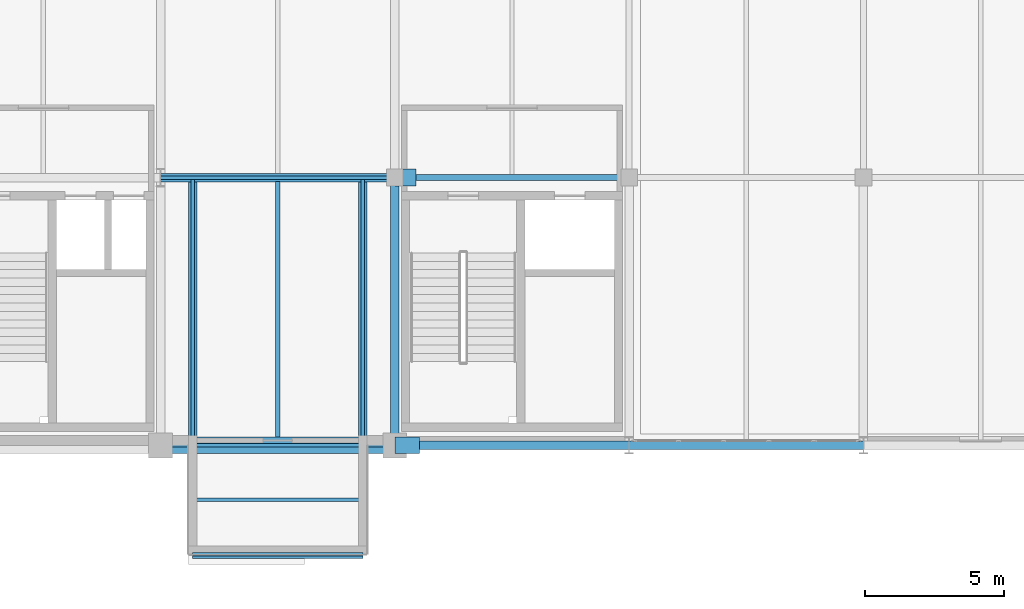
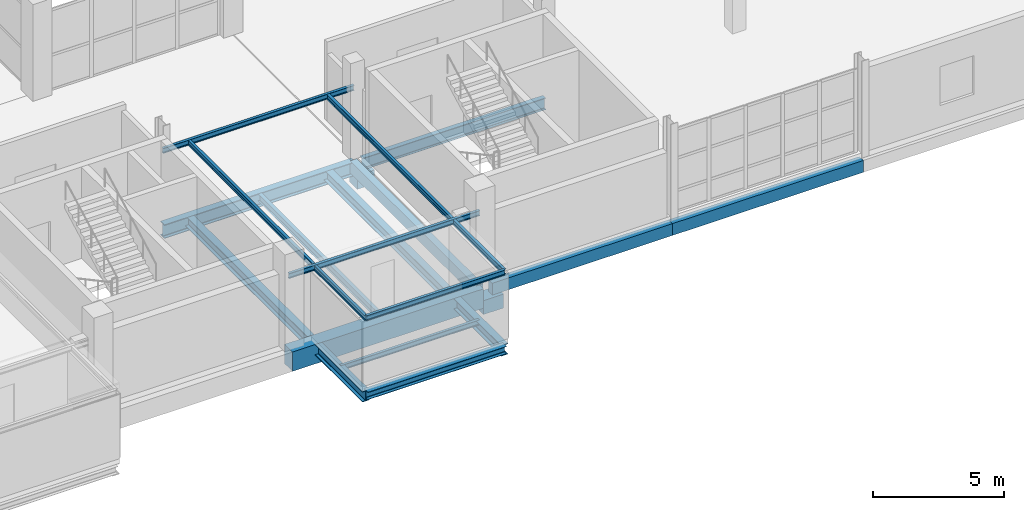
# One storey, part 50 of 130: 18 beams.
"""IFC4 building model written with IfcOpenShell, lengths in metres."""

from ifc_helpers import new_model, si_unit, direction, frame, origin, origin_2d, place, context, subcontext, project, spatial, rectangle, i_section, extrude, material, material_profile, profile_set, type_object, element, save


model = new_model("IFC4")

# Units and contexts
model_context = context("Model", 3, precision=1e-05, world=origin(), true_north=direction((0.0, 1.0)))
body_context = subcontext(model_context, "Body", "Model", "MODEL_VIEW")
ifc_project = project(units=[si_unit("LENGTHUNIT", "METRE"), si_unit("AREAUNIT", "SQUARE_METRE"), si_unit("VOLUMEUNIT", "CUBIC_METRE"), si_unit("PLANEANGLEUNIT", "RADIAN"), si_unit("MASSUNIT", "GRAM", prefix="KILO")], contexts=[model_context])

# Site, building, storey
site_placement = place(None, origin())
site = spatial("IfcSite", under=ifc_project, at=site_placement, CompositionType="ELEMENT")
building_placement = place(site_placement, origin())
building = spatial("IfcBuilding", under=site, at=building_placement, Name="Veltarok Museum of Natural Sciences", CompositionType="ELEMENT")
storey_placement = place(building_placement, frame((0.0, 0.0, 12.89990234375)))
storey = spatial("IfcBuildingStorey", under=building, at=storey_placement, Name="L02", CompositionType="ELEMENT", Elevation=12.89990234375)

# Beams
ifc_material_1 = material(Name="Steel S355J2", Category="steel")
ifc_material_profile_1 = material_profile(ifc_material_1, i_section(OverallWidth=0.2099609375, OverallDepth=0.550048828125, WebThickness=0.010986328125, FlangeThickness=0.01708984375, FilletRadius=0.02392578125, at=origin_2d()), Name="IPE 550")
ifc_profile_set_1 = profile_set([ifc_material_profile_1], Name="Steel S355J2")
beam_type_1 = type_object("IfcBeamType", Name="Archive Heavy Girder IPE 550", PredefinedType="BEAM", material=ifc_profile_set_1)
beam_1_placement = place(storey_placement, frame((107.550048828125, 9.60009765625, -0.52490234375), z_axis=(1.0, 0.0, 0.0), x_axis=(0.0, 1.0, 0.0)))
element("IfcBeam", 1, at=beam_1_placement, inside=storey, type_object=beam_type_1, Name="Beam BM-G03 L02 13-14/B", PredefinedType="BEAM", context=body_context, shape_type="SweptSolid", body=[
    extrude(i_section(OverallWidth=0.2099609375, OverallDepth=0.550048828125, WebThickness=0.010986328125, FlangeThickness=0.01708984375, FilletRadius=0.02392578125, at=origin_2d()), origin(), (0.0, 0.0, 1.0), 8.050048828125),
])
ifc_material_profile_2 = material_profile(ifc_material_1, i_section(OverallWidth=0.300048828125, OverallDepth=0.5, WebThickness=0.014404296875, FlangeThickness=0.028076171875, FilletRadius=0.027099609375, at=origin_2d()), Name="HEB 500")
ifc_profile_set_2 = profile_set([ifc_material_profile_2], Name="Steel S355J2")
beam_type_2 = type_object("IfcBeamType", Name="Cabinet Box Cantilever Girder HEB 500", PredefinedType="BEAM", material=ifc_profile_set_2)
for number, where, z_axis, x_axis, name in (
    (2, (99.949951171875, -3.89990234375, -0.5), (0.0, 1.0, 0.0), (-1.0, 0.0, 0.0), "Cabinet Cantilever Girder DB-11-1"),
    (3, (106.050048828125, -3.89990234375, -0.5), (0.0, 1.0, 0.0), (-1.0, 0.0, 0.0), "Cabinet Cantilever Girder DB-11-2"),
):
    element("IfcBeam", number, at=place(storey_placement, frame(where, z_axis=z_axis, x_axis=x_axis)), inside=storey, type_object=beam_type_2, Name=name, PredefinedType="BEAM", context=body_context, shape_type="SweptSolid", body=[
        extrude(i_section(OverallWidth=0.300048828125, OverallDepth=0.5, WebThickness=0.014404296875, FlangeThickness=0.028076171875, FilletRadius=0.027099609375, at=origin_2d()), origin(), (0.0, 0.0, 1.0), 13.5),
    ])
ifc_material_profile_3 = material_profile(ifc_material_1, i_section(OverallWidth=0.1201171875, OverallDepth=0.239990234375, WebThickness=0.006103515625, FlangeThickness=0.009765625, FilletRadius=0.014892578125, at=origin_2d()), Name="IPE 240")
ifc_profile_set_3 = profile_set([ifc_material_profile_3], Name="Steel S355J2")
beam_type_3 = type_object("IfcBeamType", Name="Cabinet Box Secondary Joist IPE 240", PredefinedType="JOIST", material=ifc_profile_set_3)
for number, where, z_axis, x_axis, name in (
    (4, (99.949951171875, -3.89990234375, 3.130126953125), (0.0, 1.0, 0.0), (-1.0, 0.0, 0.0), "Cabinet Roof Rafter DB-11-1"),
    (5, (106.050048828125, -3.89990234375, 3.130126953125), (0.0, 1.0, 0.0), (-1.0, 0.0, 0.0), "Cabinet Roof Rafter DB-11-2"),
):
    element("IfcBeam", number, at=place(storey_placement, frame(where, z_axis=z_axis, x_axis=x_axis)), inside=storey, type_object=beam_type_3, Name=name, PredefinedType="JOIST", context=body_context, shape_type="SweptSolid", body=[
        extrude(i_section(OverallWidth=0.1201171875, OverallDepth=0.239990234375, WebThickness=0.006103515625, FlangeThickness=0.009765625, FilletRadius=0.014892578125, at=origin_2d()), origin(), (0.0, 0.0, 1.0), 13.5),
    ])
for number, where, z_axis, x_axis, name in (
    (6, (98.800048828125, 0.0, 3.130126953125), (1.0, 0.0, 0.0), (0.0, 1.0, 0.0), "Cabinet Roof Tie Beam DB-11-P"),
    (7, (98.800048828125, 9.60009765625, 3.130126953125), (1.0, 0.0, 0.0), (0.0, 1.0, 0.0), "Cabinet Roof Tie Beam DB-11-I"),
):
    element("IfcBeam", number, at=place(storey_placement, frame(where, z_axis=z_axis, x_axis=x_axis)), inside=storey, type_object=beam_type_3, Name=name, PredefinedType="JOIST", context=body_context, shape_type="SweptSolid", body=[
        extrude(i_section(OverallWidth=0.1201171875, OverallDepth=0.239990234375, WebThickness=0.006103515625, FlangeThickness=0.009765625, FilletRadius=0.014892578125, at=origin_2d()), origin(), (0.0, 0.0, 1.0), 8.39990234375),
    ])
for number, where, z_axis, x_axis, name in (
    (8, (99.949951171875, -3.89990234375, 3.130126953125), (1.0, 0.0, 0.0), (0.0, 1.0, 0.0), "Cabinet Roof Tip Header DB-11"),
    (9, (99.949951171875, -1.949951171875, -0.369873046875), (1.0, 0.0, 0.0), (0.0, 1.0, 0.0), "Cabinet Box Joist DB-11"),
):
    element("IfcBeam", number, at=place(storey_placement, frame(where, z_axis=z_axis, x_axis=x_axis)), inside=storey, type_object=beam_type_3, Name=name, PredefinedType="JOIST", context=body_context, shape_type="SweptSolid", body=[
        extrude(i_section(OverallWidth=0.1201171875, OverallDepth=0.239990234375, WebThickness=0.006103515625, FlangeThickness=0.009765625, FilletRadius=0.014892578125, at=origin_2d()), origin(), (0.0, 0.0, 1.0), 6.10009765625),
    ])
ifc_material_profile_4 = material_profile(ifc_material_1, i_section(OverallWidth=0.300048828125, OverallDepth=0.35009765625, WebThickness=0.010009765625, FlangeThickness=0.017578125, FilletRadius=0.027099609375, at=origin_2d()), Name="HEA 360")
ifc_profile_set_4 = profile_set([ifc_material_profile_4], Name="Steel S355J2")
beam_type_4 = type_object("IfcBeamType", Name="Cabinet Box Tip Header HEA 360", PredefinedType="BEAM", material=ifc_profile_set_4)
beam_2_placement = place(storey_placement, frame((99.949951171875, -3.89990234375, -0.4248046875), z_axis=(1.0, 0.0, 0.0), x_axis=(0.0, 1.0, 0.0)))
element("IfcBeam", 10, at=beam_2_placement, inside=storey, type_object=beam_type_4, Name="Cabinet Tip Header DB-11", PredefinedType="BEAM", context=body_context, shape_type="SweptSolid", body=[
    extrude(i_section(OverallWidth=0.300048828125, OverallDepth=0.35009765625, WebThickness=0.010009765625, FlangeThickness=0.017578125, FilletRadius=0.027099609375, at=origin_2d()), origin(), (0.0, 0.0, 1.0), 6.10009765625),
])
ifc_material_2 = material(Name="Precast concrete C40/50", Category="concrete")
ifc_material_profile_5 = material_profile(ifc_material_2, rectangle(XDim=0.300048828125, YDim=0.550048828125, at=origin_2d()), Name="RC 300x550")
ifc_profile_set_5 = profile_set([ifc_material_profile_5], Name="Precast concrete C40/50")
beam_type_5 = type_object("IfcBeamType", Name="East Wing Precast Spandrel RC 300x550", PredefinedType="SPANDREL", material=ifc_profile_set_5)
beam_3_placement = place(storey_placement, frame((107.675048828125, 0.0, -0.52490234375), z_axis=(1.0, 0.0, 0.0), x_axis=(0.0, 1.0, 0.0)))
element("IfcBeam", 11, at=beam_3_placement, inside=storey, type_object=beam_type_5, Name="Beam BM-SP02 L02 13-14/A", PredefinedType="SPANDREL", context=body_context, shape_type="SweptSolid", body=[
    extrude(rectangle(XDim=0.300048828125, YDim=0.550048828125, at=origin_2d()), origin(), (0.0, 0.0, 1.0), 7.925048828125),
])
beam_4_placement = place(storey_placement, frame((115.60009765625, 0.0, -0.52490234375), z_axis=(1.0, 0.0, 0.0), x_axis=(0.0, 1.0, 0.0)))
element("IfcBeam", 12, at=beam_4_placement, inside=storey, type_object=beam_type_5, Name="Beam BM-SP02 L02 14-15/A", PredefinedType="SPANDREL", context=body_context, shape_type="SweptSolid", body=[
    extrude(rectangle(XDim=0.300048828125, YDim=0.550048828125, at=origin_2d()), origin(), (0.0, 0.0, 1.0), 8.39990234375),
])
beam_5_placement = place(storey_placement, frame((107.199951171875, 0.0, -0.52490234375), z_axis=(0.0, 1.0, 0.0), x_axis=(-1.0, 0.0, 0.0)))
element("IfcBeam", 13, at=beam_5_placement, inside=storey, type_object=beam_type_5, Name="Beam BM-SP02 L02 13/A-B", PredefinedType="SPANDREL", context=body_context, shape_type="SweptSolid", body=[
    extrude(rectangle(XDim=0.300048828125, YDim=0.550048828125, at=origin_2d()), origin(), (0.0, 0.0, 1.0), 9.60009765625),
])
ifc_material_3 = material(Name="Concrete C40/50", Category="concrete")
ifc_material_profile_6 = material_profile(ifc_material_3, rectangle(XDim=0.60009765625, YDim=0.89990234375, at=origin_2d()), Name="RC 600x900")
ifc_profile_set_6 = profile_set([ifc_material_profile_6], Name="Concrete C40/50")
beam_type_6 = type_object("IfcBeamType", Name="Exposed Cabinet Perimeter Spandrel RC 600x900", PredefinedType="SPANDREL", material=ifc_profile_set_6)
beam_6_placement = place(storey_placement, frame((98.800048828125, 0.0, -0.699951171875), z_axis=(1.0, 0.0, 0.0), x_axis=(0.0, 1.0, 0.0)))
element("IfcBeam", 14, at=beam_6_placement, inside=storey, type_object=beam_type_6, Name="Beam BM-SP01 L02 12-13/A", PredefinedType="SPANDREL", context=body_context, shape_type="SweptSolid", body=[
    extrude(rectangle(XDim=0.60009765625, YDim=0.89990234375, at=origin_2d()), origin(), (0.0, 0.0, 1.0), 8.39990234375),
])
ifc_material_profile_7 = material_profile(ifc_material_1, i_section(OverallWidth=0.300048828125, OverallDepth=0.639892578125, WebThickness=0.013427734375, FlangeThickness=0.02587890625, FilletRadius=0.027099609375, at=origin_2d()), Name="HEA 650")
ifc_profile_set_7 = profile_set([ifc_material_profile_7], Name="Steel S355J2")
beam_type_7 = type_object("IfcBeamType", Name="Heavy Exhibition Girder HEA 650", PredefinedType="BEAM", material=ifc_profile_set_7)
beam_7_placement = place(storey_placement, frame((98.800048828125, 9.60009765625, -0.56982421875), z_axis=(1.0, 0.0, 0.0), x_axis=(0.0, 1.0, 0.0)))
element("IfcBeam", 15, at=beam_7_placement, inside=storey, type_object=beam_type_7, Name="Beam BM-G08 L02 12-13/B", PredefinedType="BEAM", context=body_context, shape_type="SweptSolid", body=[
    extrude(i_section(OverallWidth=0.300048828125, OverallDepth=0.639892578125, WebThickness=0.013427734375, FlangeThickness=0.02587890625, FilletRadius=0.027099609375, at=origin_2d()), origin(), (0.0, 0.0, 1.0), 8.39990234375),
])
ifc_material_profile_8 = material_profile(ifc_material_1, i_section(OverallWidth=0.159912109375, OverallDepth=0.330078125, WebThickness=0.007568359375, FlangeThickness=0.011474609375, FilletRadius=0.01806640625, at=origin_2d()), Name="IPE 330")
ifc_profile_set_8 = profile_set([ifc_material_profile_8], Name="Steel S355J2")
beam_type_8 = type_object("IfcBeamType", Name="Medium-Bay Composite Joist IPE 330", PredefinedType="JOIST", material=ifc_profile_set_8)
beam_8_placement = place(storey_placement, frame((103.0, 0.298095703125, -0.414794921875), z_axis=(0.0, 1.0, 0.0), x_axis=(-1.0, 0.0, 0.0)))
element("IfcBeam", 16, at=beam_8_placement, inside=storey, type_object=beam_type_8, Name="Secondary Joist BM-J02 L02 12-13/A-B.1", PredefinedType="JOIST", context=body_context, shape_type="SweptSolid", body=[
    extrude(i_section(OverallWidth=0.159912109375, OverallDepth=0.330078125, WebThickness=0.007568359375, FlangeThickness=0.011474609375, FilletRadius=0.01806640625, at=origin_2d()), origin(), (0.0, 0.0, 1.0), 9.15380859375),
])
ifc_material_profile_9 = material_profile(ifc_material_3, rectangle(XDim=0.60009765625, YDim=0.64990234375, at=origin_2d()), Name="RC 600x650")
ifc_profile_set_9 = profile_set([ifc_material_profile_9], Name="Concrete C40/50")
beam_type_9 = type_object("IfcBeamType", Name="Movement Joint Sliding Corbel RC 600x650", PredefinedType="BEAM", material=ifc_profile_set_9)
beam_9_placement = place(storey_placement, frame((107.199951171875, 0.0, -1.125), z_axis=(1.0, 0.0, 0.0), x_axis=(0.0, 1.0, 0.0)))
element("IfcBeam", 17, at=beam_9_placement, inside=storey, type_object=beam_type_9, Name="Movement Joint Corbel L02 13/A", PredefinedType="BEAM", context=body_context, shape_type="SweptSolid", body=[
    extrude(rectangle(XDim=0.60009765625, YDim=0.64990234375, at=origin_2d()), origin(), (0.0, 0.0, 1.0), 0.885009765625),
])
beam_10_placement = place(storey_placement, frame((107.199951171875, 9.60009765625, -1.125), z_axis=(1.0, 0.0, 0.0), x_axis=(0.0, 1.0, 0.0)))
element("IfcBeam", 18, at=beam_10_placement, inside=storey, type_object=beam_type_9, Name="Movement Joint Corbel L02 13/B", PredefinedType="BEAM", context=body_context, shape_type="SweptSolid", body=[
    extrude(rectangle(XDim=0.60009765625, YDim=0.64990234375, at=origin_2d()), origin(), (0.0, 0.0, 1.0), 0.760009765625),
])

save(model, "model.ifc")
